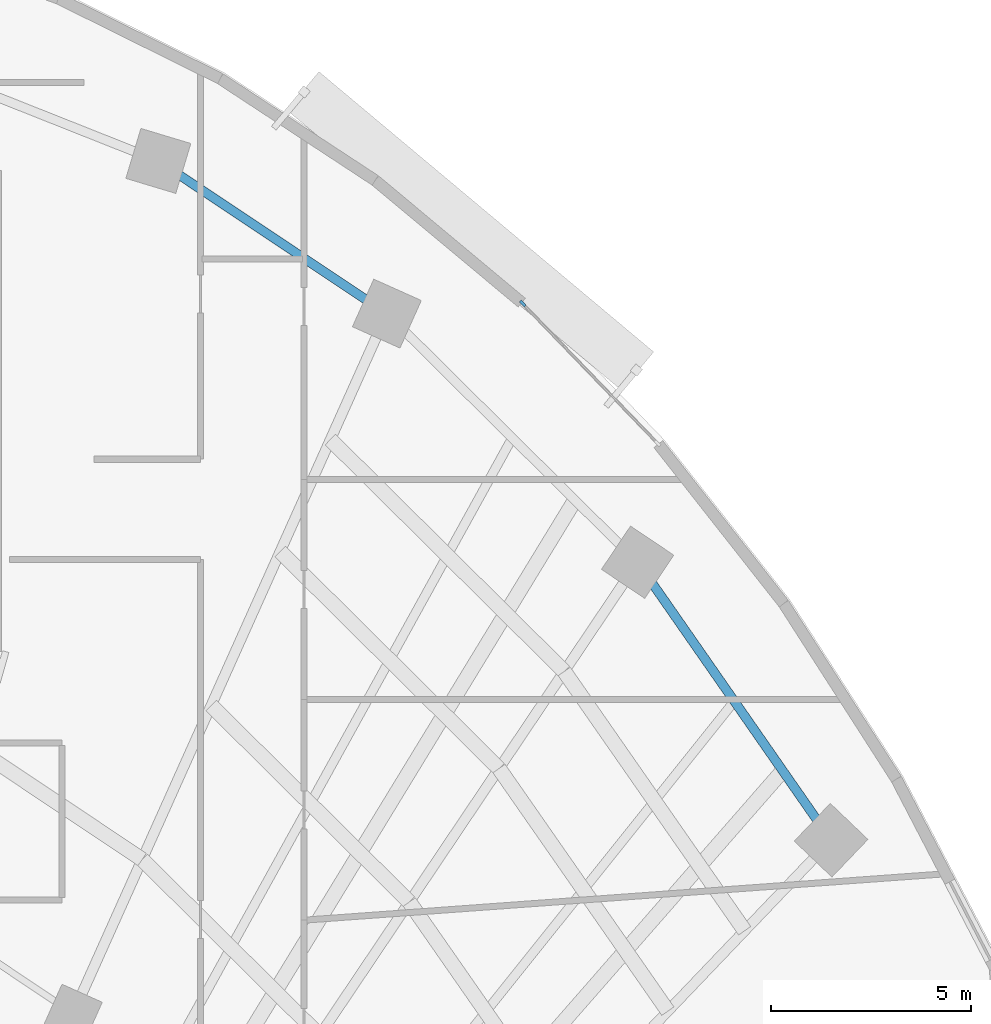
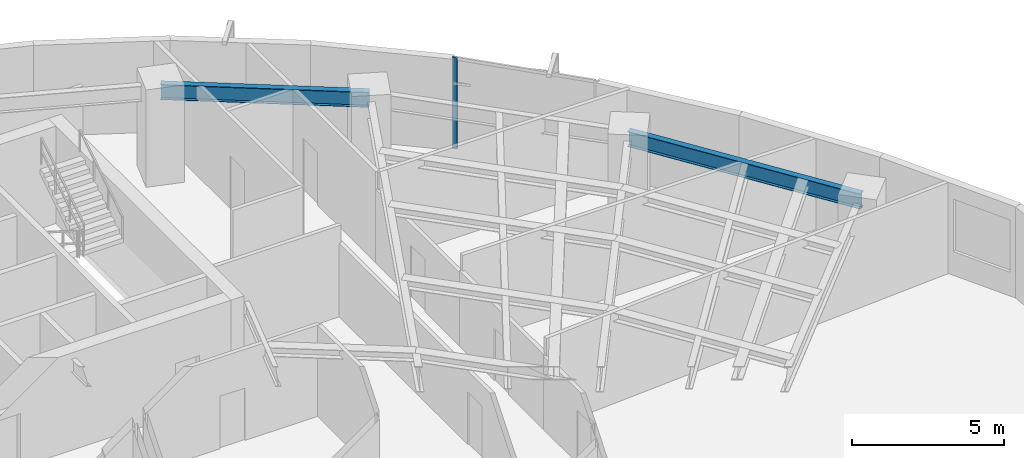
# One storey, part 6 of 13: 2 beams, 1 member, 1 element without a shape of its own.
"""IFC4 building model written with IfcOpenShell, lengths in metres."""

from ifc_helpers import new_model, si_unit, direction, frame, origin, origin_2d, place, context, subcontext, project, spatial, rectangle, i_section, extrude, source, transform, mapped, material, layer, layer_set, material_profile, profile_set, type_object, element, aggregate, save


model = new_model("IFC4")

# Units and contexts
model_context = context("Model", 3, precision=1e-05, world=origin(), true_north=direction((0.0, 1.0)))
body_context = subcontext(model_context, "Body", "Model", "MODEL_VIEW")
ifc_project = project(units=[si_unit("LENGTHUNIT", "METRE"), si_unit("AREAUNIT", "SQUARE_METRE"), si_unit("VOLUMEUNIT", "CUBIC_METRE"), si_unit("PLANEANGLEUNIT", "RADIAN"), si_unit("MASSUNIT", "GRAM", prefix="KILO")], contexts=[model_context])

# Site, building, storey
site_placement = place(None, origin())
site = spatial("IfcSite", under=ifc_project, at=site_placement, CompositionType="ELEMENT")
building_placement = place(site_placement, origin())
building = spatial("IfcBuilding", under=site, at=building_placement, Name="Breltana Convention Tower", CompositionType="ELEMENT")
storey_placement = place(building_placement, frame((0.0, 0.0, 96.0)))
storey = spatial("IfcBuildingStorey", under=building, at=storey_placement, Name="L22", CompositionType="ELEMENT", Elevation=96.0)

# Beams
ifc_material_1 = material(Name="Steel ASTM A992 Grade 50", Category="steel")
ifc_material_profile_1 = material_profile(ifc_material_1, i_section(OverallWidth=0.22802734375, OverallDepth=0.60791015625, WebThickness=0.01123046875, FlangeThickness=0.017333984375, at=origin_2d()), Name="W24X76")
ifc_profile_set_1 = profile_set([ifc_material_profile_1], Name="Steel ASTM A992 Grade 50")
beam_type = type_object("IfcBeamType", Name="BM-SP-W24X76", PredefinedType="SPANDREL", material=ifc_profile_set_1)
shared_shape_1 = source(origin(), body_context, "Body", "SweptSolid", [
    extrude(i_section(OverallWidth=0.22802734375, OverallDepth=0.60791015625, WebThickness=0.01123046875, FlangeThickness=0.017333984375, at=origin_2d()), origin(), (0.0, 0.0, 1.0), 6.856689453125),
])
beam_1_placement = place(storey_placement, frame((63.208984375, 72.4423828125, 3.345947265625), z_axis=(0.83150210718, -0.55552159792, 0.0), x_axis=(0.55552159792, 0.83150210718, 0.0)))
element("IfcBeam", 1, at=beam_1_placement, inside=storey, type_object=beam_type, Name="L22 Outer Spandrel Beam 08", PredefinedType="SPANDREL", context=body_context, shape_type="MappedRepresentation", body=[
    mapped(shared_shape_1, transform((0.0, 0.0, 0.0), scale=1.0)),
])
shared_shape_2 = source(origin(), body_context, "Body", "SweptSolid", [
    extrude(i_section(OverallWidth=0.22802734375, OverallDepth=0.60791015625, WebThickness=0.01123046875, FlangeThickness=0.017333984375, at=origin_2d()), origin(), (0.0, 0.0, 1.0), 8.44970703125),
])
beam_2_placement = place(storey_placement, frame((75.166748046875, 62.43017578125, 3.345947265625), z_axis=(0.5711855381, -0.820820979913, 0.0), x_axis=(0.820820979913, 0.5711855381, 0.0)))
element("IfcBeam", 2, at=beam_2_placement, inside=storey, type_object=beam_type, Name="L22 Outer Spandrel Beam 10", PredefinedType="SPANDREL", context=body_context, shape_type="MappedRepresentation", body=[
    mapped(shared_shape_2, transform((0.0, 0.0, 0.0), scale=1.0)),
])

# Curtain wall, member
ifc_material_2 = material(Name="Aluminium Anodised Bronze Frame", Category="aluminium")
ifc_layer = layer(ifc_material_2, 0.22998046875, Name="Aluminium Anodised Bronze Frame")
ifc_layer_set = layer_set([ifc_layer], Name="Aluminium Anodised Bronze Frame")
curtain_wall_type = type_object("IfcCurtainWallType", Name="CW-SYS-5", PredefinedType="NOTDEFINED", material=ifc_layer_set)
curtain_wall_placement = place(storey_placement, origin())
curtain_wall = element("IfcCurtainWall", 3, at=curtain_wall_placement, inside=storey, type_object=curtain_wall_type, Name="L22 outer double-skin inner glazing 4", PredefinedType="NOTDEFINED")
ifc_material_3 = material(Name="Aluminium Anodised Bronze", Category="aluminium")
ifc_material_profile_2 = material_profile(ifc_material_3, rectangle(XDim=0.070068359375, YDim=0.175048828125, at=origin_2d()), Name="CWM-70X175")
ifc_profile_set_2 = profile_set([ifc_material_profile_2], Name="Aluminium Anodised Bronze")
member_type = type_object("IfcMemberType", Name="CWM-175", PredefinedType="MULLION", material=ifc_profile_set_2)
shared_shape_3 = source(origin(), body_context, "Body", "SweptSolid", [
    extrude(rectangle(XDim=0.070068359375, YDim=0.175048828125, at=origin_2d()), origin(), (0.0, 0.0, 1.0), 3.64990234375),
])
member_placement = place(storey_placement, frame((72.299560546875, 68.88232421875, 0.0), z_axis=(0.0, 0.0, 1.0), x_axis=(0.719384961558, 0.694611601605, 0.0)))
member = element("IfcMember", 4, at=member_placement, type_object=member_type, Name="CW-05 mullion 1", PredefinedType="MULLION", context=body_context, shape_type="MappedRepresentation", body=[
    mapped(shared_shape_3, transform((0.0, 0.0, 0.0), scale=1.0)),
])
aggregate(curtain_wall, [member])

save(model, "model.ifc")
